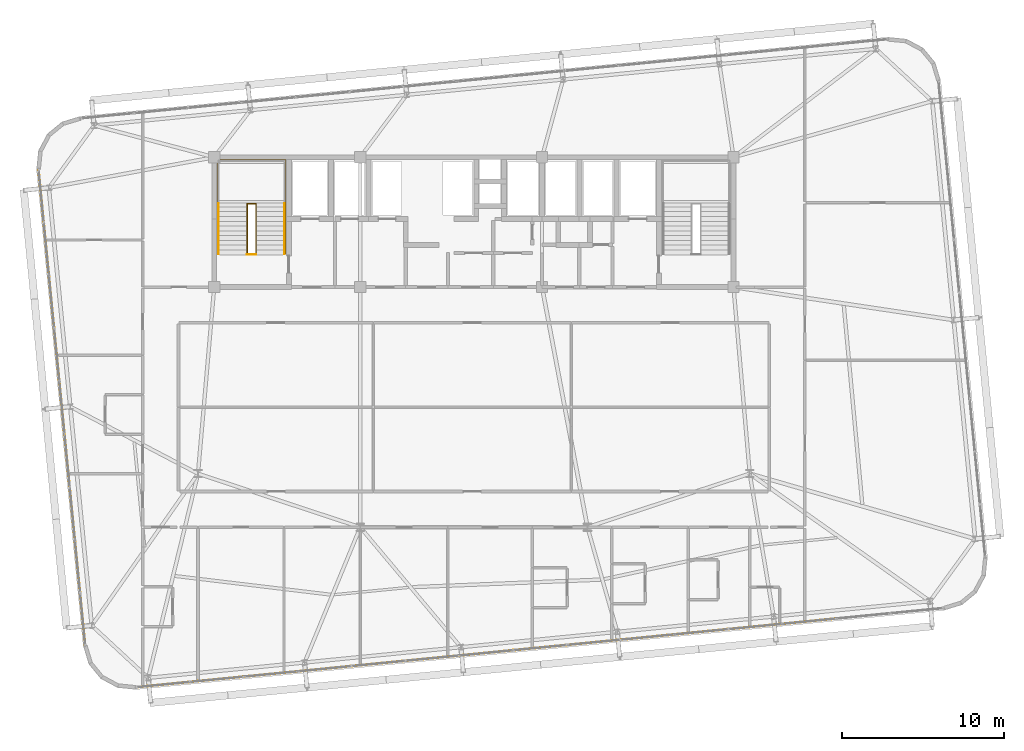
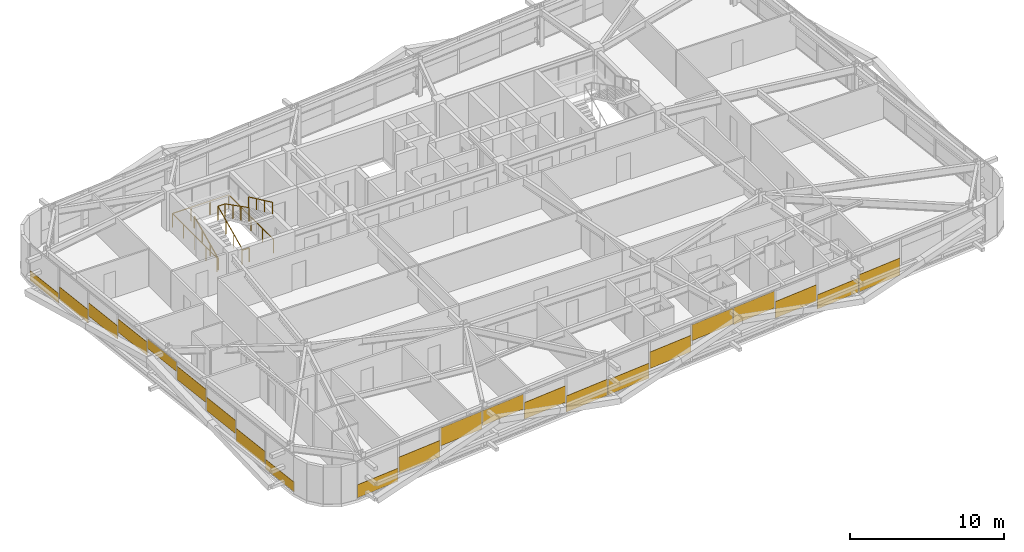
# One storey, part 52 of 54: 22 coverings, 5 railings.
"""IFC4 building model written with IfcOpenShell, lengths in metres."""

from ifc_helpers import new_model, si_unit, direction, frame, origin, origin_2d, place, context, subcontext, project, spatial, rectangle, extrude, source, transform, mapped, material, layer, layer_set, type_object, element, save


model = new_model("IFC4")

# Units and contexts
model_context = context("Model", 3, precision=1e-05, world=origin(), true_north=direction((0.0, 1.0)))
body_context = subcontext(model_context, "Body", "Model", "MODEL_VIEW")
ifc_project = project(units=[si_unit("LENGTHUNIT", "METRE"), si_unit("AREAUNIT", "SQUARE_METRE"), si_unit("VOLUMEUNIT", "CUBIC_METRE"), si_unit("PLANEANGLEUNIT", "RADIAN"), si_unit("MASSUNIT", "GRAM", prefix="KILO")], contexts=[model_context])

# Site, building, storey
site_placement = place(None, origin())
site = spatial("IfcSite", under=ifc_project, at=site_placement, CompositionType="ELEMENT")
building_placement = place(site_placement, origin())
building = spatial("IfcBuilding", under=site, at=building_placement, Name="Taldren Reach Tower", CompositionType="ELEMENT")
storey_placement = place(building_placement, frame((0.0, 0.0, 99.75)))
storey = spatial("IfcBuildingStorey", under=building, at=storey_placement, Name="L30", CompositionType="ELEMENT", Elevation=99.75)

# Railings
ifc_material_1 = material(Name="Steel Gr 350 (C350L0)", Category="steel")
ifc_layer_1 = layer(ifc_material_1, 0.050048828125)
ifc_layer_set_1 = layer_set([ifc_layer_1], Name="Steel Gr 350 (C350L0)")
railing_type_1 = type_object("IfcRailingType", Name="RL-STAIR-GR", PredefinedType="GUARDRAIL", material=ifc_layer_set_1)
railing_1_placement = place(storey_placement, frame((21.030029296875, 26.050048828125, 0.131103515625)))
element("IfcRailing", 1, at=railing_1_placement, inside=storey, type_object=railing_type_1, Name="Stairwell inner guard ST1-L30", PredefinedType="GUARDRAIL", context=body_context, shape_type="SweptSolid", body=[
    extrude(rectangle(XDim=0.047852, YDim=0.047852, at=origin_2d()), frame((0.0, 0.0, 1.09619140625), z_axis=(0.0, 0.905710134349, 0.423897573167), x_axis=(-1.0, 0.0, 0.0)), (0.0, 0.0, 1.0), 3.406005859375),
    extrude(rectangle(XDim=0.047852, YDim=0.047852, at=origin_2d()), frame((0.0, 3.0849609375, 2.5400390625), z_axis=(1.0, 0.0, 0.0), x_axis=(0.0, 1.0, 0.0)), (0.0, 0.0, 1.0), 0.5400390625),
    extrude(rectangle(XDim=0.047852, YDim=0.047852, at=origin_2d()), frame((0.5400390625, 3.0849609375, 2.5400390625), z_axis=(0.0, -0.890645957773, 0.45469745755), x_axis=(1.0, 0.0, 0.0)), (0.0, 0.0, 1.0), 3.463623046875),
    extrude(rectangle(XDim=0.041992, YDim=0.041992, at=origin_2d()), origin(), (0.0, 0.0, 1.0), 1.072021484375),
    extrude(rectangle(XDim=0.041992, YDim=0.041992, at=origin_2d()), frame((0.0, 1.0283203125, 0.481201171875)), (0.0, 0.0, 1.0), 1.072021484375),
    extrude(rectangle(XDim=0.041992, YDim=0.041992, at=origin_2d()), frame((0.0, 2.056640625, 0.962646484375)), (0.0, 0.0, 1.0), 1.072021484375),
    extrude(rectangle(XDim=0.041992, YDim=0.041992, at=origin_2d()), frame((0.0, 3.0849609375, 1.44384765625)), (0.0, 0.0, 1.0), 1.072021484375),
    extrude(rectangle(XDim=0.041992, YDim=0.041992, at=origin_2d()), frame((0.5400390625, 3.0849609375, 1.44384765625)), (0.0, 0.0, 1.0), 1.072021484375),
    extrude(rectangle(XDim=0.041992, YDim=0.041992, at=origin_2d()), frame((0.5400390625, 2.056640625, 1.96875)), (0.0, 0.0, 1.0), 1.072021484375),
    extrude(rectangle(XDim=0.041992, YDim=0.041992, at=origin_2d()), frame((0.5400390625, 1.0283203125, 2.493896484375)), (0.0, 0.0, 1.0), 1.072021484375),
    extrude(rectangle(XDim=0.041992, YDim=0.041992, at=origin_2d()), frame((0.5400390625, 0.0, 3.018798828125)), (0.0, 0.0, 1.0), 1.072021484375),
])
railing_2_placement = place(storey_placement, frame((21.030029296875, 26.010009765625, 0.0)))
element("IfcRailing", 2, at=railing_2_placement, inside=storey, type_object=railing_type_1, Name="Stairwell landing slot guard ST1-L30", PredefinedType="GUARDRAIL", context=body_context, shape_type="SweptSolid", body=[
    extrude(rectangle(XDim=0.047852, YDim=0.047852, at=origin_2d()), frame((0.0, 0.0, 1.09619140625), z_axis=(1.0, 0.0, 0.0), x_axis=(0.0, 1.0, 0.0)), (0.0, 0.0, 1.0), 0.5400390625),
    extrude(rectangle(XDim=0.041992, YDim=0.041992, at=origin_2d()), origin(), (0.0, 0.0, 1.0), 1.072021484375),
    extrude(rectangle(XDim=0.041992, YDim=0.041992, at=origin_2d()), frame((0.5400390625, 0.0, 0.0)), (0.0, 0.0, 1.0), 1.072021484375),
])
railing_3_placement = place(storey_placement, frame((19.18994140625, 26.050048828125, 0.0)))
element("IfcRailing", 3, at=railing_3_placement, inside=storey, type_object=railing_type_1, Name="Stairwell floor opening guard ST1-L30", PredefinedType="GUARDRAIL", context=body_context, shape_type="SweptSolid", body=[
    extrude(rectangle(XDim=0.047852, YDim=0.047852, at=origin_2d()), frame((0.0, 0.0, 1.09619140625), z_axis=(0.0, 1.0, 0.0), x_axis=(-1.0, 0.0, 0.0)), (0.0, 0.0, 1.0), 5.800048828125),
    extrude(rectangle(XDim=0.047852, YDim=0.047852, at=origin_2d()), frame((0.0, 5.800048828125, 1.09619140625), z_axis=(1.0, 0.0, 0.0), x_axis=(0.0, 1.0, 0.0)), (0.0, 0.0, 1.0), 4.219970703125),
    extrude(rectangle(XDim=0.047852, YDim=0.047852, at=origin_2d()), frame((4.219970703125, 5.800048828125, 1.09619140625), z_axis=(0.0, -1.0, 0.0), x_axis=(1.0, 0.0, 0.0)), (0.0, 0.0, 1.0), 5.800048828125),
    extrude(rectangle(XDim=0.041992, YDim=0.041992, at=origin_2d()), origin(), (0.0, 0.0, 1.0), 1.072021484375),
    extrude(rectangle(XDim=0.041992, YDim=0.041992, at=origin_2d()), frame((0.0, 1.449951171875, 0.0)), (0.0, 0.0, 1.0), 1.072021484375),
    extrude(rectangle(XDim=0.041992, YDim=0.041992, at=origin_2d()), frame((0.0, 2.89990234375, 0.0)), (0.0, 0.0, 1.0), 1.072021484375),
    extrude(rectangle(XDim=0.041992, YDim=0.041992, at=origin_2d()), frame((0.0, 4.35009765625, 0.0)), (0.0, 0.0, 1.0), 1.072021484375),
    extrude(rectangle(XDim=0.041992, YDim=0.041992, at=origin_2d()), frame((0.0, 5.800048828125, 0.0)), (0.0, 0.0, 1.0), 1.072021484375),
    extrude(rectangle(XDim=0.041992, YDim=0.041992, at=origin_2d()), frame((1.40673828125, 5.800048828125, 0.0)), (0.0, 0.0, 1.0), 1.072021484375),
    extrude(rectangle(XDim=0.041992, YDim=0.041992, at=origin_2d()), frame((2.813232421875, 5.800048828125, 0.0)), (0.0, 0.0, 1.0), 1.072021484375),
    extrude(rectangle(XDim=0.041992, YDim=0.041992, at=origin_2d()), frame((4.219970703125, 5.800048828125, 0.0)), (0.0, 0.0, 1.0), 1.072021484375),
    extrude(rectangle(XDim=0.041992, YDim=0.041992, at=origin_2d()), frame((4.219970703125, 4.35009765625, 0.0)), (0.0, 0.0, 1.0), 1.072021484375),
    extrude(rectangle(XDim=0.041992, YDim=0.041992, at=origin_2d()), frame((4.219970703125, 2.89990234375, 0.0)), (0.0, 0.0, 1.0), 1.072021484375),
    extrude(rectangle(XDim=0.041992, YDim=0.041992, at=origin_2d()), frame((4.219970703125, 1.449951171875, 0.0)), (0.0, 0.0, 1.0), 1.072021484375),
    extrude(rectangle(XDim=0.041992, YDim=0.041992, at=origin_2d()), frame((4.219970703125, 0.0, 0.0)), (0.0, 0.0, 1.0), 1.072021484375),
])
ifc_material_2 = material(Name="Stainless Steel Gr 316", Category="steel")
ifc_layer_2 = layer(ifc_material_2, 0.048095703125)
ifc_layer_set_2 = layer_set([ifc_layer_2], Name="Stainless Steel Gr 316")
railing_type_2 = type_object("IfcRailingType", Name="RL-STAIR-HR", PredefinedType="HANDRAIL", material=ifc_layer_set_2)
railing_4_placement = place(storey_placement, frame((19.27001953125, 26.050048828125, 0.131103515625)))
element("IfcRailing", 4, at=railing_4_placement, inside=storey, type_object=railing_type_2, Name="Stair flight handrail ST1-L30-1", PredefinedType="HANDRAIL", context=body_context, shape_type="SweptSolid", body=[
    extrude(rectangle(XDim=0.047852, YDim=0.047852, at=origin_2d()), frame((0.0, 0.0, 0.89599609375), z_axis=(0.0, 0.905710134349, 0.423897573167), x_axis=(-1.0, 0.0, 0.0)), (0.0, 0.0, 1.0), 3.406005859375),
    extrude(rectangle(XDim=0.041992, YDim=0.041992, at=origin_2d()), origin(), (0.0, 0.0, 1.0), 0.871826171875),
    extrude(rectangle(XDim=0.041992, YDim=0.041992, at=origin_2d()), frame((0.0, 1.0283203125, 0.481201171875)), (0.0, 0.0, 1.0), 0.871826171875),
    extrude(rectangle(XDim=0.041992, YDim=0.041992, at=origin_2d()), frame((0.0, 2.056640625, 0.962646484375)), (0.0, 0.0, 1.0), 0.871826171875),
    extrude(rectangle(XDim=0.041992, YDim=0.041992, at=origin_2d()), frame((0.0, 3.0849609375, 1.44384765625)), (0.0, 0.0, 1.0), 0.871826171875),
])
railing_5_placement = place(storey_placement, frame((23.330078125, 29.135009765625, 1.706298828125)))
element("IfcRailing", 5, at=railing_5_placement, inside=storey, type_object=railing_type_2, Name="Stair flight handrail ST1-L30-2", PredefinedType="HANDRAIL", context=body_context, shape_type="SweptSolid", body=[
    extrude(rectangle(XDim=0.047852, YDim=0.047852, at=origin_2d()), frame((0.0, 0.0, 0.89599609375), z_axis=(0.0, -0.905737652094, 0.423838773095), x_axis=(1.0, 0.0, 0.0)), (0.0, 0.0, 1.0), 3.406005859375),
    extrude(rectangle(XDim=0.041992, YDim=0.041992, at=origin_2d()), origin(), (0.0, 0.0, 1.0), 0.871826171875),
    extrude(rectangle(XDim=0.041992, YDim=0.041992, at=origin_2d()), frame((0.0, -1.0283203125, 0.481201171875)), (0.0, 0.0, 1.0), 0.871826171875),
    extrude(rectangle(XDim=0.041992, YDim=0.041992, at=origin_2d()), frame((0.0, -2.056640625, 0.96240234375)), (0.0, 0.0, 1.0), 0.871826171875),
    extrude(rectangle(XDim=0.041992, YDim=0.041992, at=origin_2d()), frame((0.0, -3.0849609375, 1.443603515625)), (0.0, 0.0, 1.0), 0.871826171875),
])

# Coverings
ifc_material_3 = material(Name="Pale Champagne Fluoropolymer Aluminium Spandrel Cladding", Category="aluminium")
ifc_layer_3 = layer(ifc_material_3, 0.0439453125)
ifc_layer_set_3 = layer_set([ifc_layer_3], Name="Pale Champagne Fluoropolymer Aluminium Spandrel Cladding")
covering_type = type_object("IfcCoveringType", Name="CV-CLAD-044", PredefinedType="CLADDING", material=ifc_layer_set_3)
shared_shape_1 = source(origin(), body_context, "Body", "SweptSolid", [
    extrude(rectangle(XDim=3.268310546875, YDim=0.0439453125, at=origin_2d()), origin(), (0.0, 0.0, 1.0), 1.3046875),
])
for number, where, z_axis, x_axis, name in (
    (6, (19.163818359375, -0.177734375, 0.6220703125), (0.0, 0.0, 1.0), (0.995227390247, 0.097582999046, 0.0), "Diagrid closure cladding strip CW-3 panel 2.1 1"),
    (7, (29.1162109375, 0.798095703125, 0.863037109375), (0.0, 0.0, 1.0), (0.995227390247, 0.097582999046, 0.0), "Diagrid closure cladding strip CW-3 panel 5.1 1"),
    (8, (39.068359375, 1.77392578125, 0.78271484375), (0.0, 0.0, 1.0), (0.995227390247, 0.097582999046, 0.0), "Diagrid closure cladding strip CW-3 panel 8.1 1"),
    (9, (49.020751953125, 2.749755859375, 0.702392578125), (0.0, 0.0, 1.0), (0.995227390247, 0.097582999046, 0.0), "Diagrid closure cladding strip CW-3 panel 11.1 1"),
):
    element("IfcCovering", number, at=place(storey_placement, frame(where, z_axis=z_axis, x_axis=x_axis)), inside=storey, type_object=covering_type, Name=name, PredefinedType="CLADDING", context=body_context, shape_type="MappedRepresentation", body=[
        mapped(shared_shape_1, transform((0.0, 0.0, 0.0), scale=1.0)),
    ])
shared_shape_2 = source(origin(), body_context, "Body", "SweptSolid", [
    extrude(rectangle(XDim=3.268310546875, YDim=0.0439453125, at=origin_2d()), origin(), (0.0, 0.0, 1.0), 1.356201171875),
])
covering_1_placement = place(storey_placement, frame((55.655517578125, 3.400390625, 0.05517578125), z_axis=(0.0, 0.0, 1.0), x_axis=(0.995227390247, 0.097582999046, 0.0)))
element("IfcCovering", 10, at=covering_1_placement, inside=storey, type_object=covering_type, Name="Diagrid closure cladding strip CW-3 panel 13.1 1", PredefinedType="CLADDING", context=body_context, shape_type="MappedRepresentation", body=[
    mapped(shared_shape_2, transform((0.0, 0.0, 0.0), scale=1.0)),
])
shared_shape_3 = source(origin(), body_context, "Body", "SweptSolid", [
    extrude(rectangle(XDim=3.268310546875, YDim=0.0439453125, at=origin_2d()), origin(), (0.0, 0.0, 1.0), 1.115234375),
])
covering_2_placement = place(storey_placement, frame((52.338134765625, 3.0751953125, 0.054931640625), z_axis=(0.0, 0.0, 1.0), x_axis=(0.995227390247, 0.097582999046, 0.0)))
element("IfcCovering", 11, at=covering_2_placement, inside=storey, type_object=covering_type, Name="Diagrid closure cladding strip CW-3 panel 12.1 1", PredefinedType="CLADDING", context=body_context, shape_type="MappedRepresentation", body=[
    mapped(shared_shape_3, transform((0.0, 0.0, 0.0), scale=1.0)),
])
shared_shape_4 = source(origin(), body_context, "Body", "SweptSolid", [
    extrude(rectangle(XDim=3.268310546875, YDim=0.0439453125, at=origin_2d()), origin(), (0.0, 0.0, 1.0), 1.3359375),
])
covering_3_placement = place(storey_placement, frame((45.703369140625, 2.424560546875, 1.5390625), z_axis=(0.0, 0.0, 1.0), x_axis=(0.995227390247, 0.097582999046, 0.0)))
element("IfcCovering", 12, at=covering_3_placement, inside=storey, type_object=covering_type, Name="Diagrid closure cladding strip CW-3 panel 10.1 1", PredefinedType="CLADDING", context=body_context, shape_type="MappedRepresentation", body=[
    mapped(shared_shape_4, transform((0.0, 0.0, 0.0), scale=1.0)),
])
shared_shape_5 = source(origin(), body_context, "Body", "SweptSolid", [
    extrude(rectangle(XDim=3.268310546875, YDim=0.0439453125, at=origin_2d()), origin(), (0.0, 0.0, 1.0), 1.255615234375),
])
covering_4_placement = place(storey_placement, frame((42.3857421875, 2.099365234375, 1.61962890625), z_axis=(0.0, 0.0, 1.0), x_axis=(0.995227390247, 0.097582999046, 0.0)))
element("IfcCovering", 13, at=covering_4_placement, inside=storey, type_object=covering_type, Name="Diagrid closure cladding strip CW-3 panel 9.1 1", PredefinedType="CLADDING", context=body_context, shape_type="MappedRepresentation", body=[
    mapped(shared_shape_5, transform((0.0, 0.0, 0.0), scale=1.0)),
])
shared_shape_6 = source(origin(), body_context, "Body", "SweptSolid", [
    extrude(rectangle(XDim=3.268310546875, YDim=0.0439453125, at=origin_2d()), origin(), (0.0, 0.0, 1.0), 1.195556640625),
])
covering_5_placement = place(storey_placement, frame((35.7509765625, 1.44873046875, 0.05517578125), z_axis=(0.0, 0.0, 1.0), x_axis=(0.995227390247, 0.097582999046, 0.0)))
element("IfcCovering", 14, at=covering_5_placement, inside=storey, type_object=covering_type, Name="Diagrid closure cladding strip CW-3 panel 7.1 1", PredefinedType="CLADDING", context=body_context, shape_type="MappedRepresentation", body=[
    mapped(shared_shape_6, transform((0.0, 0.0, 0.0), scale=1.0)),
])
shared_shape_7 = source(origin(), body_context, "Body", "SweptSolid", [
    extrude(rectangle(XDim=3.268310546875, YDim=0.0439453125, at=origin_2d()), origin(), (0.0, 0.0, 1.0), 1.27587890625),
])
covering_6_placement = place(storey_placement, frame((32.43359375, 1.12353515625, 0.054931640625), z_axis=(0.0, 0.0, 1.0), x_axis=(0.995227390247, 0.097582999046, 0.0)))
element("IfcCovering", 15, at=covering_6_placement, inside=storey, type_object=covering_type, Name="Diagrid closure cladding strip CW-3 panel 6.1 1", PredefinedType="CLADDING", context=body_context, shape_type="MappedRepresentation", body=[
    mapped(shared_shape_7, transform((0.0, 0.0, 0.0), scale=1.0)),
])
shared_shape_8 = source(origin(), body_context, "Body", "SweptSolid", [
    extrude(rectangle(XDim=3.268310546875, YDim=0.0439453125, at=origin_2d()), origin(), (0.0, 0.0, 1.0), 1.17529296875),
])
covering_7_placement = place(storey_placement, frame((25.798828125, 0.472900390625, 1.69970703125), z_axis=(0.0, 0.0, 1.0), x_axis=(0.995227390247, 0.097582999046, 0.0)))
element("IfcCovering", 16, at=covering_7_placement, inside=storey, type_object=covering_type, Name="Diagrid closure cladding strip CW-3 panel 4.1 1", PredefinedType="CLADDING", context=body_context, shape_type="MappedRepresentation", body=[
    mapped(shared_shape_8, transform((0.0, 0.0, 0.0), scale=1.0)),
])
shared_shape_9 = source(origin(), body_context, "Body", "SweptSolid", [
    extrude(rectangle(XDim=3.268310546875, YDim=0.0439453125, at=origin_2d()), origin(), (0.0, 0.0, 1.0), 1.416259765625),
])
covering_8_placement = place(storey_placement, frame((22.481201171875, 0.147705078125, 1.458984375), z_axis=(0.0, 0.0, 1.0), x_axis=(0.995227390247, 0.097582999046, 0.0)))
element("IfcCovering", 17, at=covering_8_placement, inside=storey, type_object=covering_type, Name="Diagrid closure cladding strip CW-3 panel 3.1 1", PredefinedType="CLADDING", context=body_context, shape_type="MappedRepresentation", body=[
    mapped(shared_shape_9, transform((0.0, 0.0, 0.0), scale=1.0)),
])
shared_shape_10 = source(origin(), body_context, "Body", "SweptSolid", [
    extrude(rectangle(XDim=3.23583984375, YDim=0.0439453125, at=origin_2d()), origin(), (0.0, 0.0, 1.0), 1.034912109375),
])
covering_9_placement = place(storey_placement, frame((15.862548828125, -0.501220703125, 0.05517578125), z_axis=(0.0, 0.0, 1.0), x_axis=(0.995227390247, 0.097582999046, 0.0)))
element("IfcCovering", 18, at=covering_9_placement, inside=storey, type_object=covering_type, Name="Diagrid closure cladding strip CW-3 panel 1.1 1", PredefinedType="CLADDING", context=body_context, shape_type="MappedRepresentation", body=[
    mapped(shared_shape_10, transform((0.0, 0.0, 0.0), scale=1.0)),
])
shared_shape_11 = source(origin(), body_context, "Body", "SweptSolid", [
    extrude(rectangle(XDim=3.212890625, YDim=0.0439453125, at=origin_2d()), origin(), (0.0, 0.0, 1.0), 1.053466796875),
])
for number, where, z_axis, x_axis, name in (
    (19, (8.663330078125, 26.36767578125, 0.35986328125), (0.0, 0.0, 1.0), (0.09758274098, -0.99522741555, 0.0), "Diagrid closure cladding strip CW-3 panel 2.1 1"),
    (20, (8.983154296875, 23.105712890625, 0.94775390625), (0.0, 0.0, 1.0), (0.09758274098, -0.99522741555, 0.0), "Diagrid closure cladding strip CW-3 panel 3.1 1"),
    (21, (9.30322265625, 19.843505859375, 1.53564453125), (0.0, 0.0, 1.0), (0.09758274098, -0.99522741555, 0.0), "Diagrid closure cladding strip CW-3 panel 4.1 1"),
    (22, (9.94287109375, 13.319091796875, 1.53564453125), (0.0, 0.0, 1.0), (0.09758274098, -0.99522741555, 0.0), "Diagrid closure cladding strip CW-3 panel 6.1 1"),
    (23, (10.2626953125, 10.05712890625, 0.94775390625), (0.0, 0.0, 1.0), (0.09758274098, -0.99522741555, 0.0), "Diagrid closure cladding strip CW-3 panel 7.1 1"),
    (24, (10.58251953125, 6.794921875, 0.35986328125), (0.0, 0.0, 1.0), (0.09758274098, -0.99522741555, 0.0), "Diagrid closure cladding strip CW-3 panel 8.1 1"),
):
    element("IfcCovering", number, at=place(storey_placement, frame(where, z_axis=z_axis, x_axis=x_axis)), inside=storey, type_object=covering_type, Name=name, PredefinedType="CLADDING", context=body_context, shape_type="MappedRepresentation", body=[
        mapped(shared_shape_11, transform((0.0, 0.0, 0.0), scale=1.0)),
    ])
shared_shape_12 = source(origin(), body_context, "Body", "SweptSolid", [
    extrude(rectangle(XDim=3.18017578125, YDim=0.0439453125, at=origin_2d()), origin(), (0.0, 0.0, 1.0), 0.7705078125),
])
for number, where, z_axis, x_axis, name in (
    (25, (8.34521484375, 29.61376953125, 0.054931640625), (0.0, 0.0, 1.0), (0.09758274098, -0.99522741555, 0.0), "Diagrid closure cladding strip CW-3 panel 1.1 1"),
    (26, (10.90087890625, 3.549072265625, 0.054931640625), (0.0, 0.0, 1.0), (0.09758274098, -0.99522741555, 0.0), "Diagrid closure cladding strip CW-3 panel 9.1 1"),
):
    element("IfcCovering", number, at=place(storey_placement, frame(where, z_axis=z_axis, x_axis=x_axis)), inside=storey, type_object=covering_type, Name=name, PredefinedType="CLADDING", context=body_context, shape_type="MappedRepresentation", body=[
        mapped(shared_shape_12, transform((0.0, 0.0, 0.0), scale=1.0)),
    ])
shared_shape_13 = source(origin(), body_context, "Body", "SweptSolid", [
    extrude(rectangle(XDim=3.212890625, YDim=0.0439453125, at=origin_2d()), origin(), (0.0, 0.0, 1.0), 0.751708984375),
])
covering_10_placement = place(storey_placement, frame((9.623046875, 16.581298828125, 2.123046875), z_axis=(0.0, 0.0, 1.0), x_axis=(0.09758274098, -0.99522741555, 0.0)))
element("IfcCovering", 27, at=covering_10_placement, inside=storey, type_object=covering_type, Name="Diagrid closure cladding strip CW-3 panel 5.1 1", PredefinedType="CLADDING", context=body_context, shape_type="MappedRepresentation", body=[
    mapped(shared_shape_13, transform((0.0, 0.0, 0.0), scale=1.0)),
])

save(model, "model.ifc")
